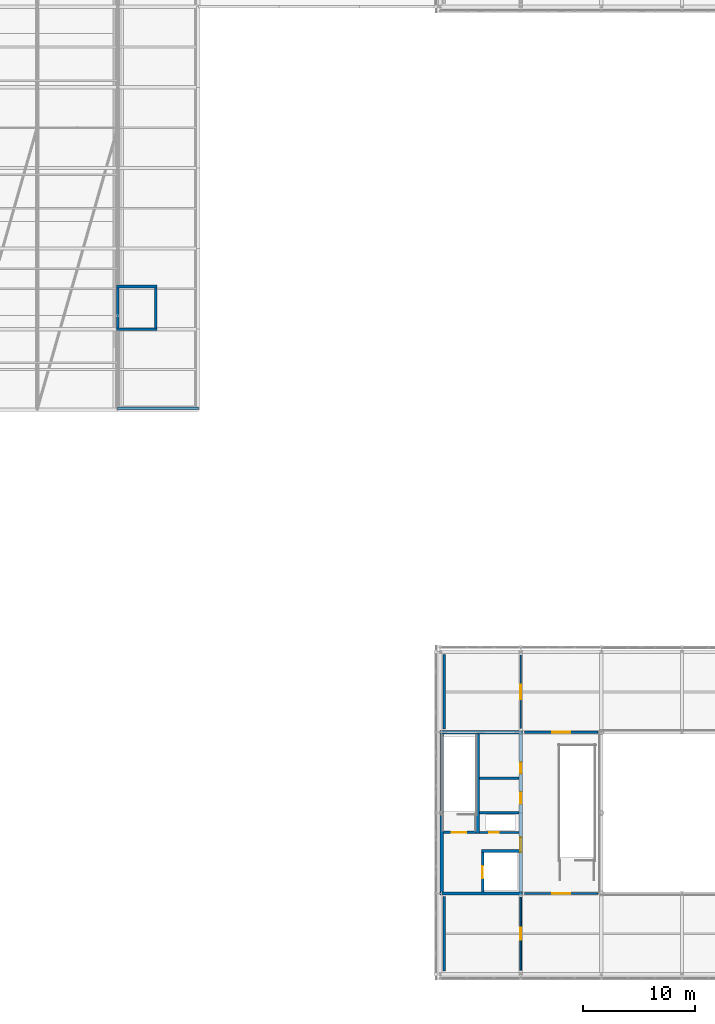
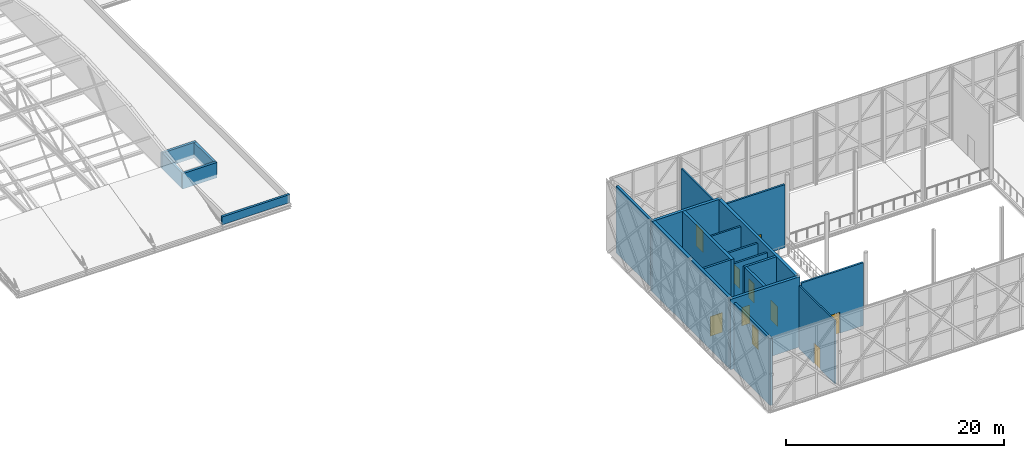
# One storey, part 67 of 76: 22 walls, 10 doors, 10 openings.
"""IFC4 building model written with IfcOpenShell, lengths in metres."""

from ifc_helpers import new_model, si_unit, direction, frame, frame_2d, origin, place, context, subcontext, project, spatial, rectangle, extrude, material, layer, layer_set, type_object, element, fill, save


model = new_model("IFC4")

# Units and contexts
model_context = context("Model", 3, precision=1e-05, world=origin(), true_north=direction((0.0, 1.0)))
body_context = subcontext(model_context, "Body", "Model", "MODEL_VIEW")
ifc_project = project(units=[si_unit("LENGTHUNIT", "METRE"), si_unit("AREAUNIT", "SQUARE_METRE"), si_unit("VOLUMEUNIT", "CUBIC_METRE"), si_unit("PLANEANGLEUNIT", "RADIAN"), si_unit("MASSUNIT", "GRAM", prefix="KILO")], contexts=[model_context])

# Site, building, storey
site_placement = place(None, origin())
site = spatial("IfcSite", under=ifc_project, at=site_placement, CompositionType="ELEMENT")
building_placement = place(site_placement, origin())
building = spatial("IfcBuilding", under=site, at=building_placement, Name="Zlatovets Crest Museum", CompositionType="ELEMENT")
storey_placement = place(building_placement, frame((0.0, 0.0, 17.10009765625)))
storey = spatial("IfcBuildingStorey", under=building, at=storey_placement, Name="L04", CompositionType="ELEMENT", Elevation=17.10009765625)

# Walls
ifc_material_1 = material(Name="Concrete C35/45", Category="concrete")
ifc_layer_1 = layer(ifc_material_1, 0.300048828125)
ifc_layer_set_1 = layer_set([ifc_layer_1], Name="Concrete C35/45")
wall_type_1 = type_object("IfcWallType", Name="CoreWall_SW01", PredefinedType="SHEAR", material=ifc_layer_set_1)
for number, where, z_axis, x_axis, name in (
    (1, (57.60009765625, 7.199951171875, 0.0), (0.0, 0.0, 1.0), (1.0, 0.0, 0.0), "Core C2 L04 South Shear Wall"),
    (2, (57.60009765625, 21.60009765625, 0.0), (0.0, 0.0, 1.0), (1.0, 0.0, 0.0), "Core C2 L04 North Shear Wall"),
):
    element("IfcWall", number, at=place(storey_placement, frame(where, z_axis=z_axis, x_axis=x_axis)), inside=storey, type_object=wall_type_1, Name=name, PredefinedType="SHEAR", context=body_context, shape_type="SweptSolid", body=[
        extrude(rectangle(XDim=7.349853515625, YDim=0.300048828125, at=frame_2d((3.6748046875, 0.0))), origin(), (0.0, 0.0, 1.0), 7.8798828125),
    ])
wall_1_placement = place(storey_placement, frame((57.75, 7.35009765625, 0.0), z_axis=(0.0, 0.0, 1.0), x_axis=(0.0, 1.0, 0.0)))
element("IfcWall", 3, at=wall_1_placement, inside=storey, type_object=wall_type_1, Name="Core C2 L04 Perimeter Shear Wall", PredefinedType="SHEAR", context=body_context, shape_type="SweptSolid", body=[
    extrude(rectangle(XDim=14.099853515625, YDim=0.300048828125, at=frame_2d((7.0498046875, 0.0))), origin(), (0.0, 0.0, 1.0), 7.8798828125),
])

# Wall, openings, doors
wall_2_placement = place(storey_placement, frame((64.800048828125, 7.35009765625, 0.0), z_axis=(0.0, 0.0, 1.0), x_axis=(0.0, 1.0, 0.0)))
wall_2 = element("IfcWall", 4, at=wall_2_placement, inside=storey, type_object=wall_type_1, Name="Core C2 L04 Spine Shear Wall", PredefinedType="SHEAR", context=body_context, shape_type="SweptSolid", body=[
    extrude(rectangle(XDim=14.099853515625, YDim=0.300048828125, at=frame_2d((7.0498046875, 0.0))), origin(), (0.0, 0.0, 1.0), 7.8798828125),
])
opening_1_placement = place(wall_2_placement, frame((3.550048828125, 0.0, 0.0)))
opening_1 = element("IfcOpeningElement", 5, at=opening_1_placement, cuts=wall_2, Name="Opening FD-01", PredefinedType="OPENING", context=body_context, shape_type="SweptSolid", body=[
    extrude(rectangle(XDim=1.300048828125, YDim=2.199951171875, at=frame_2d((0.64990234375, 1.10009765625))), frame((0.0, 0.16015625, 0.0), z_axis=(0.0, -1.0, 0.0), x_axis=(1.0, 0.0, 0.0)), (0.0, 0.0, 1.0), 0.320068359375),
])
opening_2_placement = place(wall_2_placement, frame((7.85009765625, 0.0, 0.0)))
opening_2 = element("IfcOpeningElement", 6, at=opening_2_placement, cuts=wall_2, Name="Opening ID-02", PredefinedType="OPENING", context=body_context, shape_type="SweptSolid", body=[
    extrude(rectangle(XDim=1.050048828125, YDim=2.14990234375, at=frame_2d((0.52490234375, 1.074951171875))), frame((0.0, 0.16015625, 0.0), z_axis=(0.0, -1.0, 0.0), x_axis=(1.0, 0.0, 0.0)), (0.0, 0.0, 1.0), 0.320068359375),
])
opening_3_placement = place(wall_2_placement, frame((10.550048828125, 0.0, 0.0)))
opening_3 = element("IfcOpeningElement", 7, at=opening_3_placement, cuts=wall_2, Name="Opening ID-01", PredefinedType="OPENING", context=body_context, shape_type="SweptSolid", body=[
    extrude(rectangle(XDim=1.0, YDim=2.14990234375, at=frame_2d((0.5, 1.074951171875))), frame((0.0, 0.16015625, 0.0), z_axis=(0.0, -1.0, 0.0), x_axis=(1.0, 0.0, 0.0)), (0.0, 0.0, 1.0), 0.320068359375),
])
ifc_material_2 = material(Name="Smoke-sealed steel fire door", Category="steel")
door_type_1 = type_object("IfcDoorType", Name="IntDoor_FD-01", OperationType="NOTDEFINED", PredefinedType="DOOR", material=ifc_material_2)
door_1_placement = place(opening_1_placement, origin())
door_1 = element("IfcDoor", 8, at=door_1_placement, inside=storey, type_object=door_type_1, Name="CDOOR-C2-L04-LOB Core C2 L04 Lobby Fire Door", OperationType="SINGLE_SWING_RIGHT", OverallHeight=2.199951171875, OverallWidth=1.300048828125, PredefinedType="DOOR", context=body_context, shape_type="SweptSolid", body=[
    extrude(rectangle(XDim=1.300048828125, YDim=2.199951171875, at=frame_2d((0.64990234375, 1.10009765625))), frame((0.0, 0.02490234375, 0.0), z_axis=(0.0, -1.0, 0.0), x_axis=(1.0, 0.0, 0.0)), (0.0, 0.0, 1.0), 0.050048828125),
])
fill(opening_1, door_1)
ifc_material_3 = material(Name="Solid oak museum room door")
door_type_2 = type_object("IfcDoorType", Name="IntDoor_ID-01", OperationType="NOTDEFINED", PredefinedType="DOOR", material=ifc_material_3)
door_2_placement = place(opening_3_placement, origin())
door_2 = element("IfcDoor", 9, at=door_2_placement, inside=storey, type_object=door_type_2, Name="CDOOR-C2-L04-WC Core C2 L04 Public Restroom Door", OperationType="SINGLE_SWING_RIGHT", OverallHeight=2.14990234375, OverallWidth=1.0, PredefinedType="DOOR", context=body_context, shape_type="SweptSolid", body=[
    extrude(rectangle(XDim=1.0, YDim=2.14990234375, at=frame_2d((0.5, 1.074951171875))), frame((0.0, 0.02490234375, 0.0), z_axis=(0.0, -1.0, 0.0), x_axis=(1.0, 0.0, 0.0)), (0.0, 0.0, 1.0), 0.050048828125),
])
fill(opening_3, door_2)
ifc_material_4 = material(Name="Accessible sanitary room door")
door_type_3 = type_object("IfcDoorType", Name="IntDoor_ID-02", OperationType="NOTDEFINED", PredefinedType="DOOR", material=ifc_material_4)
door_3_placement = place(opening_2_placement, origin())
door_3 = element("IfcDoor", 10, at=door_3_placement, inside=storey, type_object=door_type_3, Name="CDOOR-C2-L04-AWC Core C2 L04 Accessible WC Door", OperationType="SINGLE_SWING_LEFT", OverallHeight=2.14990234375, OverallWidth=1.050048828125, PredefinedType="DOOR", context=body_context, shape_type="SweptSolid", body=[
    extrude(rectangle(XDim=1.050048828125, YDim=2.14990234375, at=frame_2d((0.52490234375, 1.074951171875))), frame((0.0, 0.02490234375, 0.0), z_axis=(0.0, -1.0, 0.0), x_axis=(1.0, 0.0, 0.0)), (0.0, 0.0, 1.0), 0.050048828125),
])
fill(opening_2, door_3)

# Wall
wall_3_placement = place(storey_placement, frame((60.949951171875, 12.5400390625, 0.0), z_axis=(0.0, 0.0, 1.0), x_axis=(0.0, 1.0, 0.0)))
element("IfcWall", 11, at=wall_3_placement, inside=storey, type_object=wall_type_1, Name="Core C2 L04 Stair Divider Wall", PredefinedType="SHEAR", context=body_context, shape_type="SweptSolid", body=[
    extrude(rectangle(XDim=8.909912109375, YDim=0.300048828125, at=frame_2d((4.455078125, 0.0))), origin(), (0.0, 0.0, 1.0), 7.8798828125),
])

# Wall, opening, door
ifc_layer_2 = layer(ifc_material_1, 0.25)
ifc_layer_set_2 = layer_set([ifc_layer_2], Name="Concrete C35/45")
wall_type_2 = type_object("IfcWallType", Name="CoreWall_SW02", PredefinedType="SHEAR", material=ifc_layer_set_2)
wall_4_placement = place(storey_placement, frame((61.39990234375, 7.35009765625, 0.0), z_axis=(0.0, 0.0, 1.0), x_axis=(0.0, 1.0, 0.0)))
wall_4 = element("IfcWall", 12, at=wall_4_placement, inside=storey, type_object=wall_type_2, Name="Core C2 L04 Lift Shaft Wall", PredefinedType="SHEAR", context=body_context, shape_type="SweptSolid", body=[
    extrude(rectangle(XDim=3.52490234375, YDim=0.25, at=frame_2d((1.762451171875, 0.0))), origin(), (0.0, 0.0, 1.0), 7.8798828125),
])
opening_4_placement = place(wall_4_placement, frame((1.199951171875, 0.0, 0.0)))
opening_4 = element("IfcOpeningElement", 13, at=opening_4_placement, cuts=wall_4, Name="Opening LD-01", PredefinedType="OPENING", context=body_context, shape_type="SweptSolid", body=[
    extrude(rectangle(XDim=1.10009765625, YDim=2.14990234375, at=frame_2d((0.550048828125, 1.074951171875))), frame((0.0, 0.135009765625, 0.0), z_axis=(0.0, -1.0, 0.0), x_axis=(1.0, 0.0, 0.0)), (0.0, 0.0, 1.0), 0.27001953125),
])
ifc_material_5 = material(Name="Stainless-bronze sliding lift landing door")
door_type_4 = type_object("IfcDoorType", Name="IntDoor_LD-01", OperationType="SLIDING_TO_LEFT", PredefinedType="DOOR", material=ifc_material_5)
door_4_placement = place(opening_4_placement, origin())
door_4 = element("IfcDoor", 14, at=door_4_placement, inside=storey, type_object=door_type_4, Name="LDOOR-PL3-L04 Lift PL3 L04 Sliding Landing Door", OperationType="SLIDING_TO_LEFT", OverallHeight=2.14990234375, OverallWidth=1.10009765625, PredefinedType="DOOR", context=body_context, shape_type="SweptSolid", body=[
    extrude(rectangle(XDim=1.10009765625, YDim=2.14990234375, at=frame_2d((0.550048828125, 1.074951171875))), frame((0.0, 0.02490234375, 0.0), z_axis=(0.0, -1.0, 0.0), x_axis=(1.0, 0.0, 0.0)), (0.0, 0.0, 1.0), 0.050048828125),
])
fill(opening_4, door_4)

wall_5_placement = place(storey_placement, frame((57.89990234375, 12.64990234375, 0.0), z_axis=(0.0, 0.0, 1.0), x_axis=(1.0, 0.0, 0.0)))
wall_5 = element("IfcWall", 15, at=wall_5_placement, inside=storey, type_object=wall_type_2, Name="Core C2 L04 Stairwell Fire Wall", PredefinedType="SHEAR", context=body_context, shape_type="SweptSolid", body=[
    extrude(rectangle(XDim=2.900146484375, YDim=0.219970703125, at=frame_2d((1.4501953125, 0.0))), origin(), (0.0, 0.0, 1.0), 7.8798828125),
])
opening_5_placement = place(wall_5_placement, frame((0.75, 0.0, 0.0)))
opening_5 = element("IfcOpeningElement", 16, at=opening_5_placement, cuts=wall_5, Name="Opening FD-01", PredefinedType="OPENING", context=body_context, shape_type="SweptSolid", body=[
    extrude(rectangle(XDim=1.300048828125, YDim=2.199951171875, at=frame_2d((0.64990234375, 1.10009765625))), frame((0.0, 0.1201171875, 0.0), z_axis=(0.0, -1.0, 0.0), x_axis=(1.0, 0.0, 0.0)), (0.0, 0.0, 1.0), 0.239990234375),
])
door_5_placement = place(opening_5_placement, origin())
door_5 = element("IfcDoor", 17, at=door_5_placement, inside=storey, type_object=door_type_1, Name="SDOOR-ST2-L04 Stair ST2 L04 Fire Door", OperationType="SINGLE_SWING_LEFT", OverallHeight=2.199951171875, OverallWidth=1.300048828125, PredefinedType="DOOR", context=body_context, shape_type="SweptSolid", body=[
    extrude(rectangle(XDim=1.300048828125, YDim=2.199951171875, at=frame_2d((0.64990234375, 1.10009765625))), frame((0.0, 0.02490234375, 0.0), z_axis=(0.0, -1.0, 0.0), x_axis=(1.0, 0.0, 0.0)), (0.0, 0.0, 1.0), 0.050048828125),
])
fill(opening_5, door_5)

# Walls
wall_6_placement = place(storey_placement, frame((61.27490234375, 11.0, 0.0), z_axis=(0.0, 0.0, 1.0), x_axis=(1.0, 0.0, 0.0)))
element("IfcWall", 18, at=wall_6_placement, inside=storey, type_object=wall_type_2, Name="Core C2 L04 Lift Shaft North Shear Wall", PredefinedType="SHEAR", context=body_context, shape_type="SweptSolid", body=[
    extrude(rectangle(XDim=3.375, YDim=0.25, at=frame_2d((1.6875, 0.0))), origin(), (0.0, 0.0, 1.0), 7.8798828125),
])
wall_7_placement = place(storey_placement, frame((28.675048828125, 57.60009765625, -0.22021484375), z_axis=(0.0, 0.0, 1.0), x_axis=(1.0, 0.0, 0.0)))
element("IfcWall", 19, at=wall_7_placement, inside=storey, type_object=wall_type_2, Name="Lift PL2 Overrun Wall S", PredefinedType="SHEAR", context=body_context, shape_type="SweptSolid", body=[
    extrude(rectangle(XDim=3.64990234375, YDim=0.25, at=frame_2d((1.824951171875, 0.0))), origin(), (0.0, 0.0, 1.0), 1.72021484375),
])
wall_8_placement = place(storey_placement, frame((32.199951171875, 57.72509765625, -0.22021484375), z_axis=(0.0, 0.0, 1.0), x_axis=(0.0, 1.0, 0.0)))
element("IfcWall", 20, at=wall_8_placement, inside=storey, type_object=wall_type_2, Name="Lift PL2 Overrun Wall E", PredefinedType="SHEAR", context=body_context, shape_type="SweptSolid", body=[
    extrude(rectangle(XDim=3.5498046875, YDim=0.25, at=frame_2d((1.77490234375, 0.0))), origin(), (0.0, 0.0, 1.0), 1.72021484375),
])
wall_9_placement = place(storey_placement, frame((32.324951171875, 61.39990234375, -0.22021484375), z_axis=(0.0, 0.0, 1.0), x_axis=(-1.0, 0.0, 0.0)))
element("IfcWall", 21, at=wall_9_placement, inside=storey, type_object=wall_type_2, Name="Lift PL2 Overrun Wall N", PredefinedType="SHEAR", context=body_context, shape_type="SweptSolid", body=[
    extrude(rectangle(XDim=3.64990234375, YDim=0.25, at=frame_2d((1.824951171875, 0.0))), origin(), (0.0, 0.0, 1.0), 1.72021484375),
])
wall_10_placement = place(storey_placement, frame((28.800048828125, 61.27490234375, -0.22021484375), z_axis=(0.0, 0.0, 1.0), x_axis=(0.0, -1.0, 0.0)))
element("IfcWall", 22, at=wall_10_placement, inside=storey, type_object=wall_type_2, Name="Lift PL2 Overrun Wall W", PredefinedType="SHEAR", context=body_context, shape_type="SweptSolid", body=[
    extrude(rectangle(XDim=3.5498046875, YDim=0.25, at=frame_2d((1.77490234375, 0.0))), origin(), (0.0, 0.0, 1.0), 1.72021484375),
])
ifc_material_6 = material(Name="Insulated gallery conservation liner wall", Category="concrete")
ifc_layer_3 = layer(ifc_material_6, 0.300048828125)
ifc_layer_set_3 = layer_set([ifc_layer_3], Name="Insulated gallery conservation liner wall")
wall_type_3 = type_object("IfcWallType", Name="ExtWall_EW-02", PredefinedType="STANDARD", material=ifc_layer_set_3)
wall_11_placement = place(storey_placement, frame((57.97998046875, 28.52001953125, 0.0), z_axis=(0.0, 0.0, 1.0), x_axis=(0.0, -1.0, 0.0)))
element("IfcWall", 23, at=wall_11_placement, inside=storey, type_object=wall_type_3, Name="V2 L04 Interior Conservation Gallery Liner Wall", PredefinedType="STANDARD", context=body_context, shape_type="SweptSolid", body=[
    extrude(rectangle(XDim=6.64013671875, YDim=0.239990234375, at=frame_2d((3.320068359375, 0.0))), origin(), (0.0, 0.0, 1.0), 7.47998046875),
])
wall_12_placement = place(storey_placement, frame((57.97998046875, 6.919921875, 0.0), z_axis=(0.0, 0.0, 1.0), x_axis=(0.0, -1.0, 0.0)))
element("IfcWall", 24, at=wall_12_placement, inside=storey, type_object=wall_type_3, Name="V2 L04 Interior Conservation Gallery Liner Wall", PredefinedType="STANDARD", context=body_context, shape_type="SweptSolid", body=[
    extrude(rectangle(XDim=6.639892578125, YDim=0.239990234375, at=frame_2d((3.31982421875, 0.0))), origin(), (0.0, 0.0, 1.0), 7.47998046875),
])
ifc_material_7 = material(Name="Concrete C30/37 with bronze coping", Category="concrete")
ifc_layer_4 = layer(ifc_material_7, 0.239990234375)
ifc_layer_set_4 = layer_set([ifc_layer_4], Name="Concrete C30/37 with bronze coping")
wall_type_4 = type_object("IfcWallType", Name="ExtWall_PW-01", PredefinedType="PARAPET", material=ifc_layer_set_4)
wall_13_placement = place(storey_placement, frame((28.800048828125, 50.550048828125, 0.0), z_axis=(0.0, 0.0, 1.0), x_axis=(1.0, 0.0, 0.0)))
element("IfcWall", 25, at=wall_13_placement, inside=storey, type_object=wall_type_4, Name="V4E L04 Roof Parapet Wall PW-01", PredefinedType="PARAPET", context=body_context, shape_type="SweptSolid", body=[
    extrude(rectangle(XDim=7.199951171875, YDim=0.239990234375, at=frame_2d((3.60009765625, 0.0))), origin(), (0.0, 0.0, 1.0), 0.89990234375),
])

# Wall, opening, door
ifc_material_8 = material(Name="Gypsum-encased fire compartment partition")
ifc_layer_5 = layer(ifc_material_8, 0.199951171875)
ifc_layer_set_5 = layer_set([ifc_layer_5], Name="Gypsum-encased fire compartment partition")
wall_type_5 = type_object("IfcWallType", Name="PartWall_PT-01", PredefinedType="PARTITIONING", material=ifc_layer_set_5)
wall_14_placement = place(storey_placement, frame((65.1201171875, 7.199951171875, 0.0), z_axis=(0.0, 0.0, 1.0), x_axis=(1.0, 0.0, 0.0)))
wall_14 = element("IfcWall", 26, at=wall_14_placement, inside=storey, type_object=wall_type_5, Name="V2 L04 Interior Partition PT-01", PredefinedType="PARTITIONING", context=body_context, shape_type="SweptSolid", body=[
    extrude(rectangle(XDim=6.559814453125, YDim=0.199951171875, at=frame_2d((3.27978515625, 0.0))), origin(), (0.0, 0.0, 1.0), 7.0498046875),
])
opening_6_placement = place(wall_14_placement, frame((2.47998046875, 0.0, 0.0)))
opening_6 = element("IfcOpeningElement", 27, at=opening_6_placement, cuts=wall_14, Name="Opening ID-04", PredefinedType="OPENING", context=body_context, shape_type="SweptSolid", body=[
    extrude(rectangle(XDim=1.60009765625, YDim=2.35009765625, at=frame_2d((0.800048828125, 1.175048828125))), frame((0.0, 0.10986328125, 0.0), z_axis=(0.0, -1.0, 0.0), x_axis=(1.0, 0.0, 0.0)), (0.0, 0.0, 1.0), 0.219970703125),
])
ifc_material_9 = material(Name="Gallery salon double portal door")
door_type_5 = type_object("IfcDoorType", Name="IntDoor_ID-04", OperationType="DOUBLE_DOOR_SINGLE_SWING", PredefinedType="DOOR", material=ifc_material_9)
door_6_placement = place(opening_6_placement, origin())
door_6 = element("IfcDoor", 28, at=door_6_placement, inside=storey, type_object=door_type_5, Name="IDOOR-V2-L04-0217 Atrium West Stair Gallery L04 to Secession Graphic Cabinet Door", OperationType="DOUBLE_DOOR_SINGLE_SWING", OverallHeight=2.35009765625, OverallWidth=1.60009765625, PredefinedType="DOOR", context=body_context, shape_type="SweptSolid", body=[
    extrude(rectangle(XDim=1.60009765625, YDim=2.35009765625, at=frame_2d((0.800048828125, 1.175048828125))), frame((0.0, 0.02490234375, 0.0), z_axis=(0.0, -1.0, 0.0), x_axis=(1.0, 0.0, 0.0)), (0.0, 0.0, 1.0), 0.050048828125),
])
fill(opening_6, door_6)

wall_15_placement = place(storey_placement, frame((65.1201171875, 21.60009765625, 0.0), z_axis=(0.0, 0.0, 1.0), x_axis=(1.0, 0.0, 0.0)))
wall_15 = element("IfcWall", 29, at=wall_15_placement, inside=storey, type_object=wall_type_5, Name="V2 L04 Interior Partition PT-01", PredefinedType="PARTITIONING", context=body_context, shape_type="SweptSolid", body=[
    extrude(rectangle(XDim=6.559814453125, YDim=0.199951171875, at=frame_2d((3.27978515625, 0.0))), origin(), (0.0, 0.0, 1.0), 7.0498046875),
])
opening_7_placement = place(wall_15_placement, frame((2.47998046875, 0.0, 0.0)))
opening_7 = element("IfcOpeningElement", 30, at=opening_7_placement, cuts=wall_15, Name="Opening ID-04", PredefinedType="OPENING", context=body_context, shape_type="SweptSolid", body=[
    extrude(rectangle(XDim=1.60009765625, YDim=2.35009765625, at=frame_2d((0.800048828125, 1.175048828125))), frame((0.0, 0.10986328125, 0.0), z_axis=(0.0, -1.0, 0.0), x_axis=(1.0, 0.0, 0.0)), (0.0, 0.0, 1.0), 0.219970703125),
])
door_7_placement = place(opening_7_placement, origin())
door_7 = element("IfcDoor", 31, at=door_7_placement, inside=storey, type_object=door_type_5, Name="IDOOR-V2-L04-0218 Atrium West Stair Gallery L04 to Atrium Belvedere Lounge Door", OperationType="DOUBLE_DOOR_SINGLE_SWING", OverallHeight=2.35009765625, OverallWidth=1.60009765625, PredefinedType="DOOR", context=body_context, shape_type="SweptSolid", body=[
    extrude(rectangle(XDim=1.60009765625, YDim=2.35009765625, at=frame_2d((0.800048828125, 1.175048828125))), frame((0.0, 0.02490234375, 0.0), z_axis=(0.0, -1.0, 0.0), x_axis=(1.0, 0.0, 0.0)), (0.0, 0.0, 1.0), 0.050048828125),
])
fill(opening_7, door_7)

ifc_material_10 = material(Name="Acoustic museum gallery stud partition")
ifc_layer_6 = layer(ifc_material_10, 0.159912109375)
ifc_layer_set_6 = layer_set([ifc_layer_6], Name="Acoustic museum gallery stud partition")
wall_type_6 = type_object("IfcWallType", Name="PartWall_PT-02", PredefinedType="PARTITIONING", material=ifc_layer_set_6)
wall_16_placement = place(storey_placement, frame((64.800048828125, 0.320068359375, 0.0), z_axis=(0.0, 0.0, 1.0), x_axis=(0.0, 1.0, 0.0)))
wall_16 = element("IfcWall", 32, at=wall_16_placement, inside=storey, type_object=wall_type_6, Name="V2 L04 Interior Partition PT-02", PredefinedType="PARTITIONING", context=body_context, shape_type="SweptSolid", body=[
    extrude(rectangle(XDim=6.559814453125, YDim=0.159912109375, at=frame_2d((3.27978515625, 0.0))), origin(), (0.0, 0.0, 1.0), 7.0498046875),
])
opening_8_placement = place(wall_16_placement, frame((2.72998046875, 0.0, 0.0)))
opening_8 = element("IfcOpeningElement", 33, at=opening_8_placement, cuts=wall_16, Name="Opening ID-19", PredefinedType="OPENING", context=body_context, shape_type="SweptSolid", body=[
    extrude(rectangle(XDim=1.10009765625, YDim=2.35009765625, at=frame_2d((0.550048828125, 1.175048828125))), frame((0.0, 0.08984375, 0.0), z_axis=(0.0, -1.0, 0.0), x_axis=(1.0, 0.0, 0.0)), (0.0, 0.0, 1.0), 0.179931640625),
])
ifc_material_11 = material(Name="Library study glazed door")
door_type_6 = type_object("IfcDoorType", Name="IntDoor_ID-19", OperationType="NOTDEFINED", PredefinedType="DOOR", material=ifc_material_11)
door_8_placement = place(opening_8_placement, origin())
door_8 = element("IfcDoor", 34, at=door_8_placement, inside=storey, type_object=door_type_6, Name="IDOOR-V2-L04-0220 Secession Graphic Cabinet to West Wing Study L04 Door", OperationType="SINGLE_SWING_LEFT", OverallHeight=2.35009765625, OverallWidth=1.10009765625, PredefinedType="DOOR", context=body_context, shape_type="SweptSolid", body=[
    extrude(rectangle(XDim=1.10009765625, YDim=2.35009765625, at=frame_2d((0.550048828125, 1.175048828125))), frame((0.0, 0.02490234375, 0.0), z_axis=(0.0, -1.0, 0.0), x_axis=(1.0, 0.0, 0.0)), (0.0, 0.0, 1.0), 0.050048828125),
])
fill(opening_8, door_8)

wall_17_placement = place(storey_placement, frame((64.800048828125, 21.919921875, 0.0), z_axis=(0.0, 0.0, 1.0), x_axis=(0.0, 1.0, 0.0)))
wall_17 = element("IfcWall", 35, at=wall_17_placement, inside=storey, type_object=wall_type_6, Name="V2 L04 Interior Partition PT-02", PredefinedType="PARTITIONING", context=body_context, shape_type="SweptSolid", body=[
    extrude(rectangle(XDim=6.56005859375, YDim=0.159912109375, at=frame_2d((3.280029296875, 0.0))), origin(), (0.0, 0.0, 1.0), 7.0498046875),
])
opening_9_placement = place(wall_17_placement, frame((2.6298828125, 0.0, 0.0)))
opening_9 = element("IfcOpeningElement", 36, at=opening_9_placement, cuts=wall_17, Name="Opening ID-21", PredefinedType="OPENING", context=body_context, shape_type="SweptSolid", body=[
    extrude(rectangle(XDim=1.300048828125, YDim=2.449951171875, at=frame_2d((0.64990234375, 1.22509765625))), frame((0.0, 0.08984375, 0.0), z_axis=(0.0, -1.0, 0.0), x_axis=(1.0, 0.0, 0.0)), (0.0, 0.0, 1.0), 0.179931640625),
])
ifc_material_12 = material(Name="Restoration studio tall door")
door_type_7 = type_object("IfcDoorType", Name="IntDoor_ID-21", OperationType="NOTDEFINED", PredefinedType="DOOR", material=ifc_material_12)
door_9_placement = place(opening_9_placement, origin())
door_9 = element("IfcDoor", 37, at=door_9_placement, inside=storey, type_object=door_type_7, Name="IDOOR-V2-L04-0222 Atrium Belvedere Lounge to Court Corner Cabinet L04 Door", OperationType="SINGLE_SWING_LEFT", OverallHeight=2.449951171875, OverallWidth=1.300048828125, PredefinedType="DOOR", context=body_context, shape_type="SweptSolid", body=[
    extrude(rectangle(XDim=1.300048828125, YDim=2.449951171875, at=frame_2d((0.64990234375, 1.22509765625))), frame((0.0, 0.02490234375, 0.0), z_axis=(0.0, -1.0, 0.0), x_axis=(1.0, 0.0, 0.0)), (0.0, 0.0, 1.0), 0.050048828125),
])
fill(opening_9, door_9)

ifc_material_13 = material(Name="Sanitary core acoustic service wall")
ifc_layer_7 = layer(ifc_material_13, 0.219970703125)
ifc_layer_set_7 = layer_set([ifc_layer_7], Name="Sanitary core acoustic service wall")
wall_type_7 = type_object("IfcWallType", Name="PartWall_PT-04", PredefinedType="PLUMBINGWALL", material=ifc_layer_set_7)
wall_18_placement = place(storey_placement, frame((61.10009765625, 12.64990234375, 0.0), z_axis=(0.0, 0.0, 1.0), x_axis=(1.0, 0.0, 0.0)))
wall_18 = element("IfcWall", 38, at=wall_18_placement, inside=storey, type_object=wall_type_7, Name="Core C2 L04 Riser Lobby Wall", PredefinedType="PLUMBINGWALL", context=body_context, shape_type="SweptSolid", body=[
    extrude(rectangle(XDim=3.5498046875, YDim=0.199951171875, at=frame_2d((1.77490234375, 0.0))), origin(), (0.0, 0.0, 1.0), 7.2998046875),
])
opening_10_placement = place(wall_18_placement, frame((0.89990234375, 0.0, 0.0)))
opening_10 = element("IfcOpeningElement", 39, at=opening_10_placement, cuts=wall_18, Name="Opening FD-03", PredefinedType="OPENING", context=body_context, shape_type="SweptSolid", body=[
    extrude(rectangle(XDim=0.85009765625, YDim=2.050048828125, at=frame_2d((0.425048828125, 1.02490234375))), frame((0.0, 0.10986328125, 0.0), z_axis=(0.0, -1.0, 0.0), x_axis=(1.0, 0.0, 0.0)), (0.0, 0.0, 1.0), 0.219970703125),
])
ifc_material_14 = material(Name="Steel riser shaft access fire door", Category="steel")
door_type_8 = type_object("IfcDoorType", Name="IntDoor_FD-03", OperationType="NOTDEFINED", PredefinedType="TRAPDOOR", material=ifc_material_14)
door_10_placement = place(opening_10_placement, origin())
door_10 = element("IfcDoor", 40, at=door_10_placement, inside=storey, type_object=door_type_8, Name="CDOOR-C2-L04-RIS Core C2 L04 Riser Access Door", OperationType="SINGLE_SWING_RIGHT", OverallHeight=2.050048828125, OverallWidth=0.85009765625, PredefinedType="TRAPDOOR", context=body_context, shape_type="SweptSolid", body=[
    extrude(rectangle(XDim=0.85009765625, YDim=2.050048828125, at=frame_2d((0.425048828125, 1.02490234375))), frame((0.0, 0.02490234375, 0.0), z_axis=(0.0, -1.0, 0.0), x_axis=(1.0, 0.0, 0.0)), (0.0, 0.0, 1.0), 0.050048828125),
])
fill(opening_10, door_10)

# Walls
for number, where, z_axis, x_axis, name in (
    (41, (61.10009765625, 14.39990234375, 0.0), (0.0, 0.0, 1.0), (1.0, 0.0, 0.0), "Core C2 L04 Sanitary Divider"),
    (42, (61.10009765625, 17.5, 0.0), (0.0, 0.0, 1.0), (1.0, 0.0, 0.0), "Core C2 L04 Sanitary Divider"),
):
    element("IfcWall", number, at=place(storey_placement, frame(where, z_axis=z_axis, x_axis=x_axis)), inside=storey, type_object=wall_type_7, Name=name, PredefinedType="PLUMBINGWALL", context=body_context, shape_type="SweptSolid", body=[
        extrude(rectangle(XDim=3.5498046875, YDim=0.199951171875, at=frame_2d((1.77490234375, 0.0))), origin(), (0.0, 0.0, 1.0), 7.2998046875),
    ])

save(model, "model.ifc")
